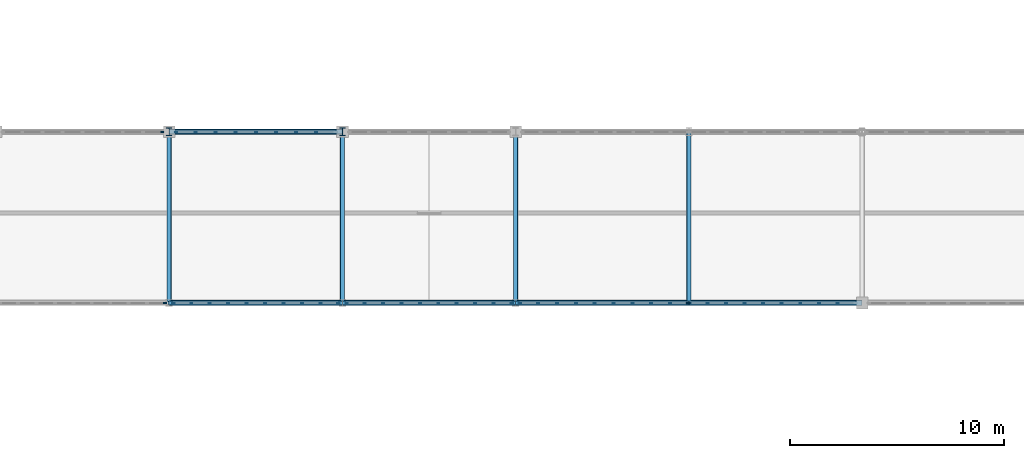
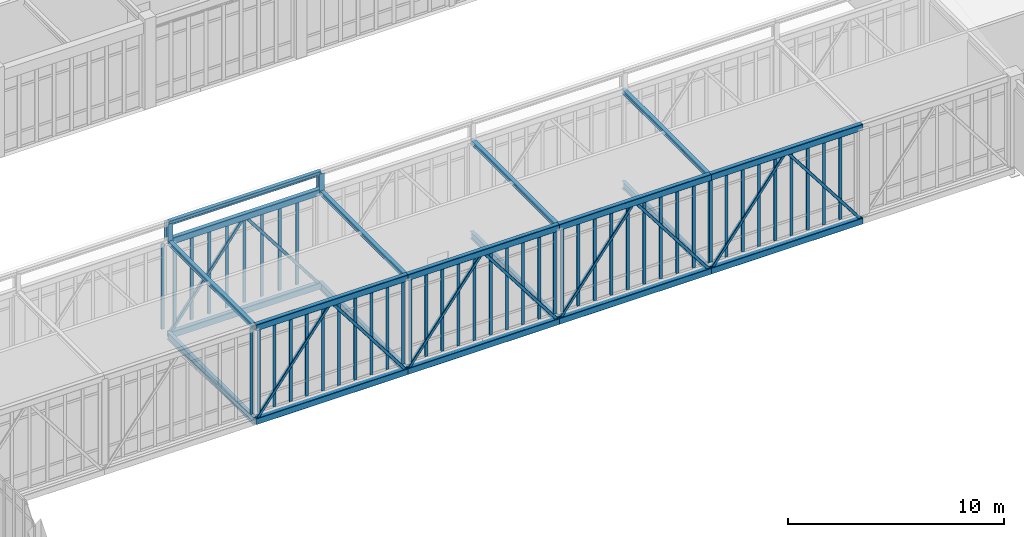
# One storey, part 31 of 107: 71 members, 9 beams, 7 elements without a shape of their own.
"""IFC4 building model written with IfcOpenShell, lengths in metres."""

from ifc_helpers import new_model, si_unit, direction, frame, origin, origin_2d, place, context, subcontext, project, spatial, rectangle, hollow_rectangle, i_section, extrude, material, material_profile, profile_set, type_object, element, aggregate, save


model = new_model("IFC4")

# Units and contexts
model_context = context("Model", 3, precision=1e-05, world=origin(), true_north=direction((0.0, 1.0)))
body_context = subcontext(model_context, "Body", "Model", "MODEL_VIEW")
ifc_project = project(units=[si_unit("LENGTHUNIT", "METRE"), si_unit("AREAUNIT", "SQUARE_METRE"), si_unit("VOLUMEUNIT", "CUBIC_METRE"), si_unit("PLANEANGLEUNIT", "RADIAN"), si_unit("MASSUNIT", "GRAM", prefix="KILO")], contexts=[model_context])

# Site, building, storey
site_placement = place(None, origin())
site = spatial("IfcSite", under=ifc_project, at=site_placement, CompositionType="ELEMENT")
building_placement = place(site_placement, origin())
building = spatial("IfcBuilding", under=site, at=building_placement, Name="Tarnveldt Square Police Headquarters", CompositionType="ELEMENT")
storey_placement = place(building_placement, frame((0.0, 0.0, 14.699951171875)))
storey = spatial("IfcBuildingStorey", under=building, at=storey_placement, Name="L03", CompositionType="ELEMENT", Elevation=14.699951171875)

# Beams
ifc_material_1 = material(Name="Steel 350W", Category="steel")
ifc_material_profile_1 = material_profile(ifc_material_1, i_section(OverallWidth=0.202880859375, OverallDepth=0.251953125, WebThickness=0.008056640625, FlangeThickness=0.013427734375, FilletRadius=0.012939453125, at=origin_2d()), Name="W250x58")
ifc_profile_set_1 = profile_set([ifc_material_profile_1], Name="Steel 350W")
beam_type_1 = type_object("IfcBeamType", Name="BM-W250x58", PredefinedType="BEAM", material=ifc_profile_set_1)
for number, where, z_axis, x_axis, name in (
    (1, (64.800048828125, 72.0, 4.85009765625), (0.0, 1.0, 0.0), (-1.0, 0.0, 0.0), "Skybridge SBN Roof Strut 3"),
    (2, (72.89990234375, 72.0, 4.85009765625), (0.0, 1.0, 0.0), (-1.0, 0.0, 0.0), "Skybridge SBN Roof Strut 4"),
    (3, (81.0, 72.0, 4.85009765625), (0.0, 1.0, 0.0), (-1.0, 0.0, 0.0), "Skybridge SBN Roof Strut 5"),
    (4, (89.10009765625, 72.0, 4.85009765625), (0.0, 1.0, 0.0), (-1.0, 0.0, 0.0), "Skybridge SBN Roof Strut 6"),
):
    element("IfcBeam", number, at=place(storey_placement, frame(where, z_axis=z_axis, x_axis=x_axis)), inside=storey, type_object=beam_type_1, Name=name, PredefinedType="BEAM", context=body_context, shape_type="SweptSolid", body=[
        extrude(i_section(OverallWidth=0.202880859375, OverallDepth=0.251953125, WebThickness=0.008056640625, FlangeThickness=0.013427734375, FilletRadius=0.012939453125, at=origin_2d()), origin(), (0.0, 0.0, 1.0), 8.0),
    ])
beam_placement = place(storey_placement, frame((64.800048828125, 80.0, 5.89013671875), z_axis=(1.0, 0.0, 0.0), x_axis=(0.0, 1.0, 0.0)))
element("IfcBeam", 5, at=beam_placement, inside=storey, type_object=beam_type_1, Name="Skybridge SBN High Eave Beam 3", PredefinedType="BEAM", context=body_context, shape_type="SweptSolid", body=[
    extrude(i_section(OverallWidth=0.202880859375, OverallDepth=0.251953125, WebThickness=0.008056640625, FlangeThickness=0.013427734375, FilletRadius=0.012939453125, at=origin_2d()), origin(), (0.0, 0.0, 1.0), 8.099853515625),
])
ifc_material_profile_2 = material_profile(ifc_material_1, i_section(OverallWidth=0.180908203125, OverallDepth=0.4169921875, WebThickness=0.010986328125, FlangeThickness=0.018310546875, FilletRadius=0.01611328125, at=origin_2d()), Name="W410x85")
ifc_profile_set_2 = profile_set([ifc_material_profile_2], Name="Steel 350W")
beam_type_2 = type_object("IfcBeamType", Name="BM-W410x85", PredefinedType="BEAM", material=ifc_profile_set_2)
for number, where, z_axis, x_axis, name in (
    (6, (64.800048828125, 72.0, -0.43994140625), (0.0, 1.0, 0.0), (-1.0, 0.0, 0.0), "Skybridge SBN Floor Crossbeam 3"),
    (7, (72.89990234375, 72.0, -0.43994140625), (0.0, 1.0, 0.0), (-1.0, 0.0, 0.0), "Skybridge SBN Floor Crossbeam 4"),
    (8, (81.0, 72.0, -0.43994140625), (0.0, 1.0, 0.0), (-1.0, 0.0, 0.0), "Skybridge SBN Floor Crossbeam 5"),
    (9, (89.10009765625, 72.0, -0.43994140625), (0.0, 1.0, 0.0), (-1.0, 0.0, 0.0), "Skybridge SBN Floor Crossbeam 6"),
):
    element("IfcBeam", number, at=place(storey_placement, frame(where, z_axis=z_axis, x_axis=x_axis)), inside=storey, type_object=beam_type_2, Name=name, PredefinedType="BEAM", context=body_context, shape_type="SweptSolid", body=[
        extrude(i_section(OverallWidth=0.180908203125, OverallDepth=0.4169921875, WebThickness=0.010986328125, FlangeThickness=0.018310546875, FilletRadius=0.01611328125, at=origin_2d()), origin(), (0.0, 0.0, 1.0), 8.0),
    ])

# Curtain wall, member
ifc_material_2 = material(Name="Triple-glazed low-e laminated vision glass", Category="glass")
curtain_wall_type_1 = type_object("IfcCurtainWallType", Name="CW-SB-776x484", PredefinedType="USERDEFINED", material=ifc_material_2)
curtain_wall_1_placement = place(storey_placement, origin())
curtain_wall_1 = element("IfcCurtainWall", 10, at=curtain_wall_1_placement, inside=storey, type_object=curtain_wall_type_1, Name="L03 Curtain Wall CW-L03-153", ObjectType="GLAZED CURTAIN WALL", PredefinedType="USERDEFINED")
ifc_material_3 = material(Name="Thermally broken anodised aluminium 6063-T6", Category="aluminium")
ifc_material_profile_3 = material_profile(ifc_material_3, rectangle(XDim=0.06494140625, YDim=0.159912109375, at=origin_2d()), Name="CW-M65x160")
ifc_profile_set_3 = profile_set([ifc_material_profile_3], Name="Thermally broken anodised aluminium 6063-T6")
member_type_1 = type_object("IfcMemberType", Name="CWM-65x160", PredefinedType="MULLION", material=ifc_profile_set_3)
member_1_placement = place(storey_placement, frame((64.598388671875, 72.0, 0.0), z_axis=(0.0, 0.0, 1.0), x_axis=(0.0, 1.0, 0.0)))
member_1 = element("IfcMember", 11, at=member_1_placement, type_object=member_type_1, Name="CW-SB90 mullion 10", PredefinedType="MULLION", context=body_context, shape_type="SweptSolid", body=[
    extrude(rectangle(XDim=0.06494140625, YDim=0.159912109375, at=origin_2d()), origin(), (0.0, 0.0, 1.0), 4.840087890625),
])
aggregate(curtain_wall_1, [member_1])

# Curtain wall, members
curtain_wall_2_placement = place(storey_placement, origin())
curtain_wall_2 = element("IfcCurtainWall", 12, at=curtain_wall_2_placement, inside=storey, type_object=curtain_wall_type_1, Name="L03 Curtain Wall CW-L03-154", ObjectType="GLAZED CURTAIN WALL", PredefinedType="USERDEFINED")
member_2_placement = place(storey_placement, frame((65.00146484375, 72.0, 0.0), z_axis=(0.0, 0.0, 1.0), x_axis=(0.0, 1.0, 0.0)))
member_2 = element("IfcMember", 13, at=member_2_placement, type_object=member_type_1, Name="CW-SB90 mullion 1", PredefinedType="MULLION", context=body_context, shape_type="SweptSolid", body=[
    extrude(rectangle(XDim=0.06494140625, YDim=0.159912109375, at=origin_2d()), origin(), (0.0, 0.0, 1.0), 4.840087890625),
])
member_3_placement = place(storey_placement, frame((65.83154296875, 72.0, 0.0), z_axis=(0.0, 0.0, 1.0), x_axis=(0.0, 1.0, 0.0)))
member_3 = element("IfcMember", 14, at=member_3_placement, type_object=member_type_1, Name="CW-SB90 mullion 2", PredefinedType="MULLION", context=body_context, shape_type="SweptSolid", body=[
    extrude(rectangle(XDim=0.06494140625, YDim=0.159912109375, at=origin_2d()), origin(), (0.0, 0.0, 1.0), 4.840087890625),
])
member_4_placement = place(storey_placement, frame((66.69384765625, 72.0, 0.0), z_axis=(0.0, 0.0, 1.0), x_axis=(0.0, 1.0, 0.0)))
member_4 = element("IfcMember", 15, at=member_4_placement, type_object=member_type_1, Name="CW-SB90 mullion 3", PredefinedType="MULLION", context=body_context, shape_type="SweptSolid", body=[
    extrude(rectangle(XDim=0.06494140625, YDim=0.159912109375, at=origin_2d()), origin(), (0.0, 0.0, 1.0), 4.840087890625),
])
member_5_placement = place(storey_placement, frame((67.556396484375, 72.0, 0.0), z_axis=(0.0, 0.0, 1.0), x_axis=(0.0, 1.0, 0.0)))
member_5 = element("IfcMember", 16, at=member_5_placement, type_object=member_type_1, Name="CW-SB90 mullion 4", PredefinedType="MULLION", context=body_context, shape_type="SweptSolid", body=[
    extrude(rectangle(XDim=0.06494140625, YDim=0.159912109375, at=origin_2d()), origin(), (0.0, 0.0, 1.0), 4.840087890625),
])
member_6_placement = place(storey_placement, frame((68.418701171875, 72.0, 0.0), z_axis=(0.0, 0.0, 1.0), x_axis=(0.0, 1.0, 0.0)))
member_6 = element("IfcMember", 17, at=member_6_placement, type_object=member_type_1, Name="CW-SB90 mullion 5", PredefinedType="MULLION", context=body_context, shape_type="SweptSolid", body=[
    extrude(rectangle(XDim=0.06494140625, YDim=0.159912109375, at=origin_2d()), origin(), (0.0, 0.0, 1.0), 4.840087890625),
])
member_7_placement = place(storey_placement, frame((69.28125, 72.0, 0.0), z_axis=(0.0, 0.0, 1.0), x_axis=(0.0, 1.0, 0.0)))
member_7 = element("IfcMember", 18, at=member_7_placement, type_object=member_type_1, Name="CW-SB90 mullion 6", PredefinedType="MULLION", context=body_context, shape_type="SweptSolid", body=[
    extrude(rectangle(XDim=0.06494140625, YDim=0.159912109375, at=origin_2d()), origin(), (0.0, 0.0, 1.0), 4.840087890625),
])
member_8_placement = place(storey_placement, frame((70.1435546875, 72.0, 0.0), z_axis=(0.0, 0.0, 1.0), x_axis=(0.0, 1.0, 0.0)))
member_8 = element("IfcMember", 19, at=member_8_placement, type_object=member_type_1, Name="CW-SB90 mullion 7", PredefinedType="MULLION", context=body_context, shape_type="SweptSolid", body=[
    extrude(rectangle(XDim=0.06494140625, YDim=0.159912109375, at=origin_2d()), origin(), (0.0, 0.0, 1.0), 4.840087890625),
])
member_9_placement = place(storey_placement, frame((71.006103515625, 72.0, 0.0), z_axis=(0.0, 0.0, 1.0), x_axis=(0.0, 1.0, 0.0)))
member_9 = element("IfcMember", 20, at=member_9_placement, type_object=member_type_1, Name="CW-SB90 mullion 8", PredefinedType="MULLION", context=body_context, shape_type="SweptSolid", body=[
    extrude(rectangle(XDim=0.06494140625, YDim=0.159912109375, at=origin_2d()), origin(), (0.0, 0.0, 1.0), 4.840087890625),
])
member_10_placement = place(storey_placement, frame((71.86865234375, 72.0, 0.0), z_axis=(0.0, 0.0, 1.0), x_axis=(0.0, 1.0, 0.0)))
member_10 = element("IfcMember", 21, at=member_10_placement, type_object=member_type_1, Name="CW-SB90 mullion 9", PredefinedType="MULLION", context=body_context, shape_type="SweptSolid", body=[
    extrude(rectangle(XDim=0.06494140625, YDim=0.159912109375, at=origin_2d()), origin(), (0.0, 0.0, 1.0), 4.840087890625),
])
member_11_placement = place(storey_placement, frame((72.698486328125, 72.0, 0.0), z_axis=(0.0, 0.0, 1.0), x_axis=(0.0, 1.0, 0.0)))
member_11 = element("IfcMember", 22, at=member_11_placement, type_object=member_type_1, Name="CW-SB90 mullion 10", PredefinedType="MULLION", context=body_context, shape_type="SweptSolid", body=[
    extrude(rectangle(XDim=0.06494140625, YDim=0.159912109375, at=origin_2d()), origin(), (0.0, 0.0, 1.0), 4.840087890625),
])
aggregate(curtain_wall_2, [member_2, member_3, member_4, member_5, member_6, member_7, member_8, member_9, member_10, member_11])

curtain_wall_3_placement = place(storey_placement, origin())
curtain_wall_3 = element("IfcCurtainWall", 23, at=curtain_wall_3_placement, inside=storey, type_object=curtain_wall_type_1, Name="L03 Curtain Wall CW-L03-155", ObjectType="GLAZED CURTAIN WALL", PredefinedType="USERDEFINED")
member_12_placement = place(storey_placement, frame((73.1015625, 72.0, 0.0), z_axis=(0.0, 0.0, 1.0), x_axis=(0.0, 1.0, 0.0)))
member_12 = element("IfcMember", 24, at=member_12_placement, type_object=member_type_1, Name="CW-SB90 mullion 1", PredefinedType="MULLION", context=body_context, shape_type="SweptSolid", body=[
    extrude(rectangle(XDim=0.06494140625, YDim=0.159912109375, at=origin_2d()), origin(), (0.0, 0.0, 1.0), 4.840087890625),
])
member_13_placement = place(storey_placement, frame((73.931396484375, 72.0, 0.0), z_axis=(0.0, 0.0, 1.0), x_axis=(0.0, 1.0, 0.0)))
member_13 = element("IfcMember", 25, at=member_13_placement, type_object=member_type_1, Name="CW-SB90 mullion 2", PredefinedType="MULLION", context=body_context, shape_type="SweptSolid", body=[
    extrude(rectangle(XDim=0.06494140625, YDim=0.159912109375, at=origin_2d()), origin(), (0.0, 0.0, 1.0), 4.840087890625),
])
member_14_placement = place(storey_placement, frame((74.7939453125, 72.0, 0.0), z_axis=(0.0, 0.0, 1.0), x_axis=(0.0, 1.0, 0.0)))
member_14 = element("IfcMember", 26, at=member_14_placement, type_object=member_type_1, Name="CW-SB90 mullion 3", PredefinedType="MULLION", context=body_context, shape_type="SweptSolid", body=[
    extrude(rectangle(XDim=0.06494140625, YDim=0.159912109375, at=origin_2d()), origin(), (0.0, 0.0, 1.0), 4.840087890625),
])
member_15_placement = place(storey_placement, frame((75.65625, 72.0, 0.0), z_axis=(0.0, 0.0, 1.0), x_axis=(0.0, 1.0, 0.0)))
member_15 = element("IfcMember", 27, at=member_15_placement, type_object=member_type_1, Name="CW-SB90 mullion 4", PredefinedType="MULLION", context=body_context, shape_type="SweptSolid", body=[
    extrude(rectangle(XDim=0.06494140625, YDim=0.159912109375, at=origin_2d()), origin(), (0.0, 0.0, 1.0), 4.840087890625),
])
member_16_placement = place(storey_placement, frame((76.518798828125, 72.0, 0.0), z_axis=(0.0, 0.0, 1.0), x_axis=(0.0, 1.0, 0.0)))
member_16 = element("IfcMember", 28, at=member_16_placement, type_object=member_type_1, Name="CW-SB90 mullion 5", PredefinedType="MULLION", context=body_context, shape_type="SweptSolid", body=[
    extrude(rectangle(XDim=0.06494140625, YDim=0.159912109375, at=origin_2d()), origin(), (0.0, 0.0, 1.0), 4.840087890625),
])
member_17_placement = place(storey_placement, frame((77.381103515625, 72.0, 0.0), z_axis=(0.0, 0.0, 1.0), x_axis=(0.0, 1.0, 0.0)))
member_17 = element("IfcMember", 29, at=member_17_placement, type_object=member_type_1, Name="CW-SB90 mullion 6", PredefinedType="MULLION", context=body_context, shape_type="SweptSolid", body=[
    extrude(rectangle(XDim=0.06494140625, YDim=0.159912109375, at=origin_2d()), origin(), (0.0, 0.0, 1.0), 4.840087890625),
])
member_18_placement = place(storey_placement, frame((78.24365234375, 72.0, 0.0), z_axis=(0.0, 0.0, 1.0), x_axis=(0.0, 1.0, 0.0)))
member_18 = element("IfcMember", 30, at=member_18_placement, type_object=member_type_1, Name="CW-SB90 mullion 7", PredefinedType="MULLION", context=body_context, shape_type="SweptSolid", body=[
    extrude(rectangle(XDim=0.06494140625, YDim=0.159912109375, at=origin_2d()), origin(), (0.0, 0.0, 1.0), 4.840087890625),
])
member_19_placement = place(storey_placement, frame((79.106201171875, 72.0, 0.0), z_axis=(0.0, 0.0, 1.0), x_axis=(0.0, 1.0, 0.0)))
member_19 = element("IfcMember", 31, at=member_19_placement, type_object=member_type_1, Name="CW-SB90 mullion 8", PredefinedType="MULLION", context=body_context, shape_type="SweptSolid", body=[
    extrude(rectangle(XDim=0.06494140625, YDim=0.159912109375, at=origin_2d()), origin(), (0.0, 0.0, 1.0), 4.840087890625),
])
member_20_placement = place(storey_placement, frame((79.968505859375, 72.0, 0.0), z_axis=(0.0, 0.0, 1.0), x_axis=(0.0, 1.0, 0.0)))
member_20 = element("IfcMember", 32, at=member_20_placement, type_object=member_type_1, Name="CW-SB90 mullion 9", PredefinedType="MULLION", context=body_context, shape_type="SweptSolid", body=[
    extrude(rectangle(XDim=0.06494140625, YDim=0.159912109375, at=origin_2d()), origin(), (0.0, 0.0, 1.0), 4.840087890625),
])
member_21_placement = place(storey_placement, frame((80.798583984375, 72.0, 0.0), z_axis=(0.0, 0.0, 1.0), x_axis=(0.0, 1.0, 0.0)))
member_21 = element("IfcMember", 33, at=member_21_placement, type_object=member_type_1, Name="CW-SB90 mullion 10", PredefinedType="MULLION", context=body_context, shape_type="SweptSolid", body=[
    extrude(rectangle(XDim=0.06494140625, YDim=0.159912109375, at=origin_2d()), origin(), (0.0, 0.0, 1.0), 4.840087890625),
])
aggregate(curtain_wall_3, [member_12, member_13, member_14, member_15, member_16, member_17, member_18, member_19, member_20, member_21])

curtain_wall_type_2 = type_object("IfcCurtainWallType", Name="CW-SB-793x484", PredefinedType="USERDEFINED", material=ifc_material_2)
curtain_wall_4_placement = place(storey_placement, origin())
curtain_wall_4 = element("IfcCurtainWall", 34, at=curtain_wall_4_placement, inside=storey, type_object=curtain_wall_type_2, Name="L03 Curtain Wall CW-L03-156", ObjectType="GLAZED CURTAIN WALL", PredefinedType="USERDEFINED")
member_22_placement = place(storey_placement, frame((81.201416015625, 72.0, 0.0), z_axis=(0.0, 0.0, 1.0), x_axis=(0.0, 1.0, 0.0)))
member_22 = element("IfcMember", 35, at=member_22_placement, type_object=member_type_1, Name="CW-SB91 mullion 1", PredefinedType="MULLION", context=body_context, shape_type="SweptSolid", body=[
    extrude(rectangle(XDim=0.06494140625, YDim=0.159912109375, at=origin_2d()), origin(), (0.0, 0.0, 1.0), 4.840087890625),
])
member_23_placement = place(storey_placement, frame((82.05029296875, 72.0, 0.0), z_axis=(0.0, 0.0, 1.0), x_axis=(0.0, 1.0, 0.0)))
member_23 = element("IfcMember", 36, at=member_23_placement, type_object=member_type_1, Name="CW-SB91 mullion 2", PredefinedType="MULLION", context=body_context, shape_type="SweptSolid", body=[
    extrude(rectangle(XDim=0.06494140625, YDim=0.159912109375, at=origin_2d()), origin(), (0.0, 0.0, 1.0), 4.840087890625),
])
member_24_placement = place(storey_placement, frame((82.931396484375, 72.0, 0.0), z_axis=(0.0, 0.0, 1.0), x_axis=(0.0, 1.0, 0.0)))
member_24 = element("IfcMember", 37, at=member_24_placement, type_object=member_type_1, Name="CW-SB91 mullion 3", PredefinedType="MULLION", context=body_context, shape_type="SweptSolid", body=[
    extrude(rectangle(XDim=0.06494140625, YDim=0.159912109375, at=origin_2d()), origin(), (0.0, 0.0, 1.0), 4.840087890625),
])
member_25_placement = place(storey_placement, frame((83.812744140625, 72.0, 0.0), z_axis=(0.0, 0.0, 1.0), x_axis=(0.0, 1.0, 0.0)))
member_25 = element("IfcMember", 38, at=member_25_placement, type_object=member_type_1, Name="CW-SB91 mullion 4", PredefinedType="MULLION", context=body_context, shape_type="SweptSolid", body=[
    extrude(rectangle(XDim=0.06494140625, YDim=0.159912109375, at=origin_2d()), origin(), (0.0, 0.0, 1.0), 4.840087890625),
])
member_26_placement = place(storey_placement, frame((84.69384765625, 72.0, 0.0), z_axis=(0.0, 0.0, 1.0), x_axis=(0.0, 1.0, 0.0)))
member_26 = element("IfcMember", 39, at=member_26_placement, type_object=member_type_1, Name="CW-SB91 mullion 5", PredefinedType="MULLION", context=body_context, shape_type="SweptSolid", body=[
    extrude(rectangle(XDim=0.06494140625, YDim=0.159912109375, at=origin_2d()), origin(), (0.0, 0.0, 1.0), 4.840087890625),
])
member_27_placement = place(storey_placement, frame((85.5751953125, 72.0, 0.0), z_axis=(0.0, 0.0, 1.0), x_axis=(0.0, 1.0, 0.0)))
member_27 = element("IfcMember", 40, at=member_27_placement, type_object=member_type_1, Name="CW-SB91 mullion 6", PredefinedType="MULLION", context=body_context, shape_type="SweptSolid", body=[
    extrude(rectangle(XDim=0.06494140625, YDim=0.159912109375, at=origin_2d()), origin(), (0.0, 0.0, 1.0), 4.840087890625),
])
member_28_placement = place(storey_placement, frame((86.456298828125, 72.0, 0.0), z_axis=(0.0, 0.0, 1.0), x_axis=(0.0, 1.0, 0.0)))
member_28 = element("IfcMember", 41, at=member_28_placement, type_object=member_type_1, Name="CW-SB91 mullion 7", PredefinedType="MULLION", context=body_context, shape_type="SweptSolid", body=[
    extrude(rectangle(XDim=0.06494140625, YDim=0.159912109375, at=origin_2d()), origin(), (0.0, 0.0, 1.0), 4.840087890625),
])
member_29_placement = place(storey_placement, frame((87.337646484375, 72.0, 0.0), z_axis=(0.0, 0.0, 1.0), x_axis=(0.0, 1.0, 0.0)))
member_29 = element("IfcMember", 42, at=member_29_placement, type_object=member_type_1, Name="CW-SB91 mullion 8", PredefinedType="MULLION", context=body_context, shape_type="SweptSolid", body=[
    extrude(rectangle(XDim=0.06494140625, YDim=0.159912109375, at=origin_2d()), origin(), (0.0, 0.0, 1.0), 4.840087890625),
])
member_30_placement = place(storey_placement, frame((88.21875, 72.0, 0.0), z_axis=(0.0, 0.0, 1.0), x_axis=(0.0, 1.0, 0.0)))
member_30 = element("IfcMember", 43, at=member_30_placement, type_object=member_type_1, Name="CW-SB91 mullion 9", PredefinedType="MULLION", context=body_context, shape_type="SweptSolid", body=[
    extrude(rectangle(XDim=0.06494140625, YDim=0.159912109375, at=origin_2d()), origin(), (0.0, 0.0, 1.0), 4.840087890625),
])
member_31_placement = place(storey_placement, frame((89.0673828125, 72.0, 0.0), z_axis=(0.0, 0.0, 1.0), x_axis=(0.0, 1.0, 0.0)))
member_31 = element("IfcMember", 44, at=member_31_placement, type_object=member_type_1, Name="CW-SB91 mullion 10", PredefinedType="MULLION", context=body_context, shape_type="SweptSolid", body=[
    extrude(rectangle(XDim=0.06494140625, YDim=0.159912109375, at=origin_2d()), origin(), (0.0, 0.0, 1.0), 4.840087890625),
])
aggregate(curtain_wall_4, [member_22, member_23, member_24, member_25, member_26, member_27, member_28, member_29, member_30, member_31])

curtain_wall_type_3 = type_object("IfcCurtainWallType", Name="CW-SB-781x484", PredefinedType="USERDEFINED", material=ifc_material_2)
curtain_wall_5_placement = place(storey_placement, origin())
curtain_wall_5 = element("IfcCurtainWall", 45, at=curtain_wall_5_placement, inside=storey, type_object=curtain_wall_type_3, Name="L03 Curtain Wall CW-L03-157", ObjectType="GLAZED CURTAIN WALL", PredefinedType="USERDEFINED")
member_32_placement = place(storey_placement, frame((89.132568359375, 72.0, 0.0), z_axis=(0.0, 0.0, 1.0), x_axis=(0.0, 1.0, 0.0)))
member_32 = element("IfcMember", 46, at=member_32_placement, type_object=member_type_1, Name="CW-SB92 mullion 1", PredefinedType="MULLION", context=body_context, shape_type="SweptSolid", body=[
    extrude(rectangle(XDim=0.06494140625, YDim=0.159912109375, at=origin_2d()), origin(), (0.0, 0.0, 1.0), 4.840087890625),
])
member_33_placement = place(storey_placement, frame((89.9677734375, 72.0, 0.0), z_axis=(0.0, 0.0, 1.0), x_axis=(0.0, 1.0, 0.0)))
member_33 = element("IfcMember", 47, at=member_33_placement, type_object=member_type_1, Name="CW-SB92 mullion 2", PredefinedType="MULLION", context=body_context, shape_type="SweptSolid", body=[
    extrude(rectangle(XDim=0.06494140625, YDim=0.159912109375, at=origin_2d()), origin(), (0.0, 0.0, 1.0), 4.840087890625),
])
member_34_placement = place(storey_placement, frame((90.83544921875, 72.0, 0.0), z_axis=(0.0, 0.0, 1.0), x_axis=(0.0, 1.0, 0.0)))
member_34 = element("IfcMember", 48, at=member_34_placement, type_object=member_type_1, Name="CW-SB92 mullion 3", PredefinedType="MULLION", context=body_context, shape_type="SweptSolid", body=[
    extrude(rectangle(XDim=0.06494140625, YDim=0.159912109375, at=origin_2d()), origin(), (0.0, 0.0, 1.0), 4.840087890625),
])
member_35_placement = place(storey_placement, frame((91.703369140625, 72.0, 0.0), z_axis=(0.0, 0.0, 1.0), x_axis=(0.0, 1.0, 0.0)))
member_35 = element("IfcMember", 49, at=member_35_placement, type_object=member_type_1, Name="CW-SB92 mullion 4", PredefinedType="MULLION", context=body_context, shape_type="SweptSolid", body=[
    extrude(rectangle(XDim=0.06494140625, YDim=0.159912109375, at=origin_2d()), origin(), (0.0, 0.0, 1.0), 4.840087890625),
])
member_36_placement = place(storey_placement, frame((92.571044921875, 72.0, 0.0), z_axis=(0.0, 0.0, 1.0), x_axis=(0.0, 1.0, 0.0)))
member_36 = element("IfcMember", 50, at=member_36_placement, type_object=member_type_1, Name="CW-SB92 mullion 5", PredefinedType="MULLION", context=body_context, shape_type="SweptSolid", body=[
    extrude(rectangle(XDim=0.06494140625, YDim=0.159912109375, at=origin_2d()), origin(), (0.0, 0.0, 1.0), 4.840087890625),
])
member_37_placement = place(storey_placement, frame((93.43896484375, 72.0, 0.0), z_axis=(0.0, 0.0, 1.0), x_axis=(0.0, 1.0, 0.0)))
member_37 = element("IfcMember", 51, at=member_37_placement, type_object=member_type_1, Name="CW-SB92 mullion 6", PredefinedType="MULLION", context=body_context, shape_type="SweptSolid", body=[
    extrude(rectangle(XDim=0.06494140625, YDim=0.159912109375, at=origin_2d()), origin(), (0.0, 0.0, 1.0), 4.840087890625),
])
member_38_placement = place(storey_placement, frame((94.306640625, 72.0, 0.0), z_axis=(0.0, 0.0, 1.0), x_axis=(0.0, 1.0, 0.0)))
member_38 = element("IfcMember", 52, at=member_38_placement, type_object=member_type_1, Name="CW-SB92 mullion 7", PredefinedType="MULLION", context=body_context, shape_type="SweptSolid", body=[
    extrude(rectangle(XDim=0.06494140625, YDim=0.159912109375, at=origin_2d()), origin(), (0.0, 0.0, 1.0), 4.840087890625),
])
member_39_placement = place(storey_placement, frame((95.174560546875, 72.0, 0.0), z_axis=(0.0, 0.0, 1.0), x_axis=(0.0, 1.0, 0.0)))
member_39 = element("IfcMember", 53, at=member_39_placement, type_object=member_type_1, Name="CW-SB92 mullion 8", PredefinedType="MULLION", context=body_context, shape_type="SweptSolid", body=[
    extrude(rectangle(XDim=0.06494140625, YDim=0.159912109375, at=origin_2d()), origin(), (0.0, 0.0, 1.0), 4.840087890625),
])
member_40_placement = place(storey_placement, frame((96.042236328125, 72.0, 0.0), z_axis=(0.0, 0.0, 1.0), x_axis=(0.0, 1.0, 0.0)))
member_40 = element("IfcMember", 54, at=member_40_placement, type_object=member_type_1, Name="CW-SB92 mullion 9", PredefinedType="MULLION", context=body_context, shape_type="SweptSolid", body=[
    extrude(rectangle(XDim=0.06494140625, YDim=0.159912109375, at=origin_2d()), origin(), (0.0, 0.0, 1.0), 4.840087890625),
])
aggregate(curtain_wall_5, [member_32, member_33, member_34, member_35, member_36, member_37, member_38, member_39, member_40])

# Curtain wall, member
curtain_wall_type_4 = type_object("IfcCurtainWallType", Name="CW-SB-752x484", PredefinedType="USERDEFINED", material=ifc_material_2)
curtain_wall_6_placement = place(storey_placement, origin())
curtain_wall_6 = element("IfcCurtainWall", 55, at=curtain_wall_6_placement, inside=storey, type_object=curtain_wall_type_4, Name="L03 Curtain Wall CW-L03-160", ObjectType="GLAZED CURTAIN WALL", PredefinedType="USERDEFINED")
member_41_placement = place(storey_placement, frame((64.4775390625, 80.0, 0.0), z_axis=(0.0, 0.0, 1.0), x_axis=(0.0, 1.0, 0.0)))
member_41 = element("IfcMember", 56, at=member_41_placement, type_object=member_type_1, Name="CW-SB95 mullion 9", PredefinedType="MULLION", context=body_context, shape_type="SweptSolid", body=[
    extrude(rectangle(XDim=0.06494140625, YDim=0.159912109375, at=origin_2d()), origin(), (0.0, 0.0, 1.0), 4.840087890625),
])
aggregate(curtain_wall_6, [member_41])

# Curtain wall, members
curtain_wall_7_placement = place(storey_placement, origin())
curtain_wall_7 = element("IfcCurtainWall", 57, at=curtain_wall_7_placement, inside=storey, type_object=curtain_wall_type_4, Name="L03 Curtain Wall CW-L03-161", ObjectType="GLAZED CURTAIN WALL", PredefinedType="USERDEFINED")
member_42_placement = place(storey_placement, frame((65.12255859375, 80.0, 0.0), z_axis=(0.0, 0.0, 1.0), x_axis=(0.0, 1.0, 0.0)))
member_42 = element("IfcMember", 58, at=member_42_placement, type_object=member_type_1, Name="CW-SB95 mullion 1", PredefinedType="MULLION", context=body_context, shape_type="SweptSolid", body=[
    extrude(rectangle(XDim=0.06494140625, YDim=0.159912109375, at=origin_2d()), origin(), (0.0, 0.0, 1.0), 4.840087890625),
])
member_43_placement = place(storey_placement, frame((66.030029296875, 80.0, 0.0), z_axis=(0.0, 0.0, 1.0), x_axis=(0.0, 1.0, 0.0)))
member_43 = element("IfcMember", 59, at=member_43_placement, type_object=member_type_1, Name="CW-SB95 mullion 2", PredefinedType="MULLION", context=body_context, shape_type="SweptSolid", body=[
    extrude(rectangle(XDim=0.06494140625, YDim=0.159912109375, at=origin_2d()), origin(), (0.0, 0.0, 1.0), 4.840087890625),
])
member_44_placement = place(storey_placement, frame((66.969970703125, 80.0, 0.0), z_axis=(0.0, 0.0, 1.0), x_axis=(0.0, 1.0, 0.0)))
member_44 = element("IfcMember", 60, at=member_44_placement, type_object=member_type_1, Name="CW-SB95 mullion 3", PredefinedType="MULLION", context=body_context, shape_type="SweptSolid", body=[
    extrude(rectangle(XDim=0.06494140625, YDim=0.159912109375, at=origin_2d()), origin(), (0.0, 0.0, 1.0), 4.840087890625),
])
member_45_placement = place(storey_placement, frame((67.909912109375, 80.0, 0.0), z_axis=(0.0, 0.0, 1.0), x_axis=(0.0, 1.0, 0.0)))
member_45 = element("IfcMember", 61, at=member_45_placement, type_object=member_type_1, Name="CW-SB95 mullion 4", PredefinedType="MULLION", context=body_context, shape_type="SweptSolid", body=[
    extrude(rectangle(XDim=0.06494140625, YDim=0.159912109375, at=origin_2d()), origin(), (0.0, 0.0, 1.0), 4.840087890625),
])
member_46_placement = place(storey_placement, frame((68.85009765625, 80.0, 0.0), z_axis=(0.0, 0.0, 1.0), x_axis=(0.0, 1.0, 0.0)))
member_46 = element("IfcMember", 62, at=member_46_placement, type_object=member_type_1, Name="CW-SB95 mullion 5", PredefinedType="MULLION", context=body_context, shape_type="SweptSolid", body=[
    extrude(rectangle(XDim=0.06494140625, YDim=0.159912109375, at=origin_2d()), origin(), (0.0, 0.0, 1.0), 4.840087890625),
])
member_47_placement = place(storey_placement, frame((69.7900390625, 80.0, 0.0), z_axis=(0.0, 0.0, 1.0), x_axis=(0.0, 1.0, 0.0)))
member_47 = element("IfcMember", 63, at=member_47_placement, type_object=member_type_1, Name="CW-SB95 mullion 6", PredefinedType="MULLION", context=body_context, shape_type="SweptSolid", body=[
    extrude(rectangle(XDim=0.06494140625, YDim=0.159912109375, at=origin_2d()), origin(), (0.0, 0.0, 1.0), 4.840087890625),
])
member_48_placement = place(storey_placement, frame((70.72998046875, 80.0, 0.0), z_axis=(0.0, 0.0, 1.0), x_axis=(0.0, 1.0, 0.0)))
member_48 = element("IfcMember", 64, at=member_48_placement, type_object=member_type_1, Name="CW-SB95 mullion 7", PredefinedType="MULLION", context=body_context, shape_type="SweptSolid", body=[
    extrude(rectangle(XDim=0.06494140625, YDim=0.159912109375, at=origin_2d()), origin(), (0.0, 0.0, 1.0), 4.840087890625),
])
member_49_placement = place(storey_placement, frame((71.669921875, 80.0, 0.0), z_axis=(0.0, 0.0, 1.0), x_axis=(0.0, 1.0, 0.0)))
member_49 = element("IfcMember", 65, at=member_49_placement, type_object=member_type_1, Name="CW-SB95 mullion 8", PredefinedType="MULLION", context=body_context, shape_type="SweptSolid", body=[
    extrude(rectangle(XDim=0.06494140625, YDim=0.159912109375, at=origin_2d()), origin(), (0.0, 0.0, 1.0), 4.840087890625),
])
aggregate(curtain_wall_7, [member_42, member_43, member_44, member_45, member_46, member_47, member_48, member_49])

# Members
ifc_material_profile_4 = material_profile(ifc_material_1, i_section(OverallWidth=0.257080078125, OverallDepth=0.363037109375, WebThickness=0.012939453125, FlangeThickness=0.021728515625, FilletRadius=0.01611328125, at=origin_2d()), Name="W360x122")
ifc_profile_set_4 = profile_set([ifc_material_profile_4], Name="Steel 350W")
member_type_2 = type_object("IfcMemberType", Name="MEM-CT-POST", PredefinedType="STRUT", material=ifc_profile_set_4)
for number, where, z_axis, x_axis, name in (
    (66, (64.800048828125, 80.0, 4.85009765625), (0.0, 0.0, 1.0), (1.0, 0.0, 0.0), "Skybridge SBN Roof Post 3"),
    (67, (72.89990234375, 80.0, 4.85009765625), (0.0, 0.0, 1.0), (1.0, 0.0, 0.0), "Skybridge SBN Roof Post 4"),
):
    element("IfcMember", number, at=place(storey_placement, frame(where, z_axis=z_axis, x_axis=x_axis)), inside=storey, type_object=member_type_2, Name=name, PredefinedType="STRUT", context=body_context, shape_type="SweptSolid", body=[
        extrude(i_section(OverallWidth=0.257080078125, OverallDepth=0.363037109375, WebThickness=0.012939453125, FlangeThickness=0.021728515625, FilletRadius=0.01611328125, at=origin_2d()), origin(), (0.0, 0.0, 1.0), 1.079833984375),
    ])
ifc_material_profile_5 = material_profile(ifc_material_1, hollow_rectangle(XDim=0.25390625, YDim=0.355712890625, WallThickness=0.015869140625, InnerFilletRadius=0.015869140625, OuterFilletRadius=0.03173828125, at=origin_2d()), Name="HSS356x254x16")
ifc_profile_set_5 = profile_set([ifc_material_profile_5], Name="Steel 350W")
member_type_3 = type_object("IfcMemberType", Name="MEM-SB-CHORD", PredefinedType="CHORD", material=ifc_profile_set_5)
for number, where, z_axis, x_axis, name in (
    (68, (64.800048828125, 72.0, -0.43994140625), (1.0, 0.0, 0.0), (0.0, 1.0, 0.0), "Skybridge SBN Bottom Chord S3"),
    (69, (64.800048828125, 72.0, 4.85009765625), (1.0, 0.0, 0.0), (0.0, 1.0, 0.0), "Skybridge SBN Top Chord S3"),
):
    element("IfcMember", number, at=place(storey_placement, frame(where, z_axis=z_axis, x_axis=x_axis)), inside=storey, type_object=member_type_3, Name=name, PredefinedType="CHORD", context=body_context, shape_type="SweptSolid", body=[
        extrude(hollow_rectangle(XDim=0.25390625, YDim=0.355712890625, WallThickness=0.015869140625, InnerFilletRadius=0.015869140625, OuterFilletRadius=0.03173828125, at=origin_2d()), origin(), (0.0, 0.0, 1.0), 8.099853515625),
    ])
for number, where, z_axis, x_axis, name in (
    (70, (72.89990234375, 72.0, -0.43994140625), (1.0, 0.0, 0.0), (0.0, 1.0, 0.0), "Skybridge SBN Bottom Chord S4"),
    (71, (72.89990234375, 72.0, 4.85009765625), (1.0, 0.0, 0.0), (0.0, 1.0, 0.0), "Skybridge SBN Top Chord S4"),
    (72, (81.0, 72.0, -0.43994140625), (1.0, 0.0, 0.0), (0.0, 1.0, 0.0), "Skybridge SBN Bottom Chord S5"),
    (73, (81.0, 72.0, 4.85009765625), (1.0, 0.0, 0.0), (0.0, 1.0, 0.0), "Skybridge SBN Top Chord S5"),
):
    element("IfcMember", number, at=place(storey_placement, frame(where, z_axis=z_axis, x_axis=x_axis)), inside=storey, type_object=member_type_3, Name=name, PredefinedType="CHORD", context=body_context, shape_type="SweptSolid", body=[
        extrude(hollow_rectangle(XDim=0.25390625, YDim=0.355712890625, WallThickness=0.015869140625, InnerFilletRadius=0.015869140625, OuterFilletRadius=0.03173828125, at=origin_2d()), origin(), (0.0, 0.0, 1.0), 8.10009765625),
    ])
for number, where, z_axis, x_axis, name in (
    (74, (89.10009765625, 72.0, -0.43994140625), (1.0, 0.0, 0.0), (0.0, 1.0, 0.0), "Skybridge SBN Bottom Chord S6"),
    (75, (89.10009765625, 72.0, 4.85009765625), (1.0, 0.0, 0.0), (0.0, 1.0, 0.0), "Skybridge SBN Top Chord S6"),
    (76, (64.800048828125, 80.0, -0.43994140625), (1.0, 0.0, 0.0), (0.0, 1.0, 0.0), "Skybridge SBN Bottom Chord N3"),
    (77, (64.800048828125, 80.0, 4.85009765625), (1.0, 0.0, 0.0), (0.0, 1.0, 0.0), "Skybridge SBN Top Chord N3"),
):
    element("IfcMember", number, at=place(storey_placement, frame(where, z_axis=z_axis, x_axis=x_axis)), inside=storey, type_object=member_type_3, Name=name, PredefinedType="CHORD", context=body_context, shape_type="SweptSolid", body=[
        extrude(hollow_rectangle(XDim=0.25390625, YDim=0.355712890625, WallThickness=0.015869140625, InnerFilletRadius=0.015869140625, OuterFilletRadius=0.03173828125, at=origin_2d()), origin(), (0.0, 0.0, 1.0), 8.099853515625),
    ])
ifc_material_profile_6 = material_profile(ifc_material_1, hollow_rectangle(XDim=0.15234375, YDim=0.15234375, WallThickness=0.009521484375, InnerFilletRadius=0.009521484375, OuterFilletRadius=0.01904296875, at=origin_2d()), Name="HSS152x152x9.5")
ifc_profile_set_6 = profile_set([ifc_material_profile_6], Name="Steel 350W")
member_type_4 = type_object("IfcMemberType", Name="MEM-SB-WEB", PredefinedType="BRACE", material=ifc_profile_set_6)
for number, where, z_axis, x_axis, name in (
    (78, (64.800048828125, 72.0, -0.43994140625), (0.607897507531, 0.0, 0.794015503839), (0.0, 1.0, 0.0), "Skybridge SBN Web A3"),
    (79, (72.89990234375, 72.0, -0.43994140625), (-0.607874403773, 0.0, 0.794033191521), (0.0, -1.0, 0.0), "Skybridge SBN Web B3"),
    (80, (72.89990234375, 72.0, -0.43994140625), (0.607897507531, 0.0, 0.794015503839), (0.0, 1.0, 0.0), "Skybridge SBN Web A4"),
    (81, (81.0, 72.0, -0.43994140625), (-0.607897507531, 0.0, 0.794015503839), (0.0, -1.0, 0.0), "Skybridge SBN Web B4"),
    (82, (81.0, 72.0, -0.43994140625), (0.607897507531, 0.0, 0.794015503839), (0.0, 1.0, 0.0), "Skybridge SBN Web A5"),
    (83, (89.10009765625, 72.0, -0.43994140625), (-0.607897507531, 0.0, 0.794015503839), (0.0, -1.0, 0.0), "Skybridge SBN Web B5"),
    (84, (89.10009765625, 72.0, -0.43994140625), (0.607874403773, 0.0, 0.794033191521), (0.0, 1.0, 0.0), "Skybridge SBN Web A6"),
    (85, (97.199951171875, 72.0, -0.43994140625), (-0.607897507531, 0.0, 0.794015503839), (0.0, -1.0, 0.0), "Skybridge SBN Web B6"),
    (86, (64.800048828125, 80.0, -0.43994140625), (0.607897507531, 0.0, 0.794015503839), (0.0, 1.0, 0.0), "Skybridge SBN Web A3"),
    (87, (72.89990234375, 80.0, -0.43994140625), (-0.607874403773, 0.0, 0.794033191521), (0.0, -1.0, 0.0), "Skybridge SBN Web B3"),
):
    element("IfcMember", number, at=place(storey_placement, frame(where, z_axis=z_axis, x_axis=x_axis)), inside=storey, type_object=member_type_4, Name=name, PredefinedType="BRACE", context=body_context, shape_type="SweptSolid", body=[
        extrude(hollow_rectangle(XDim=0.15234375, YDim=0.15234375, WallThickness=0.009521484375, InnerFilletRadius=0.009521484375, OuterFilletRadius=0.01904296875, at=origin_2d()), origin(), (0.0, 0.0, 1.0), 6.662353515625),
    ])

save(model, "model.ifc")
